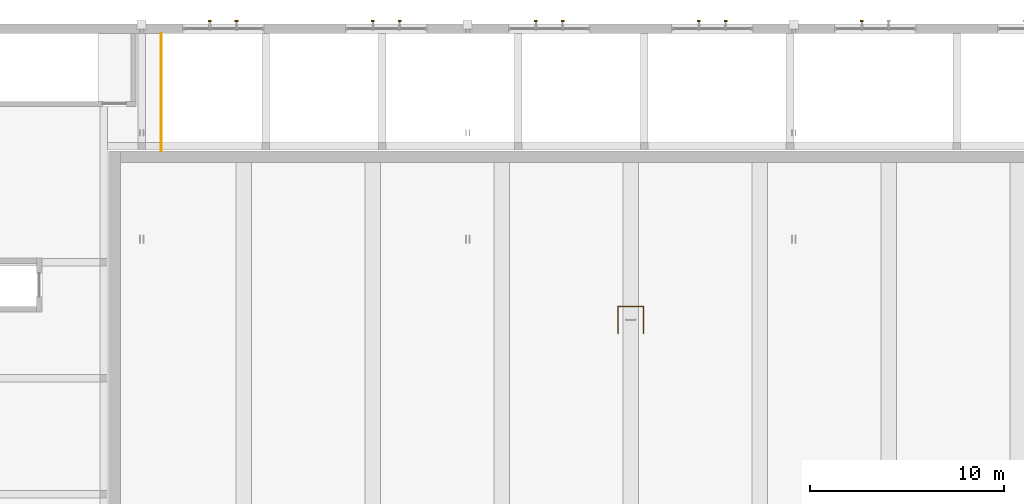
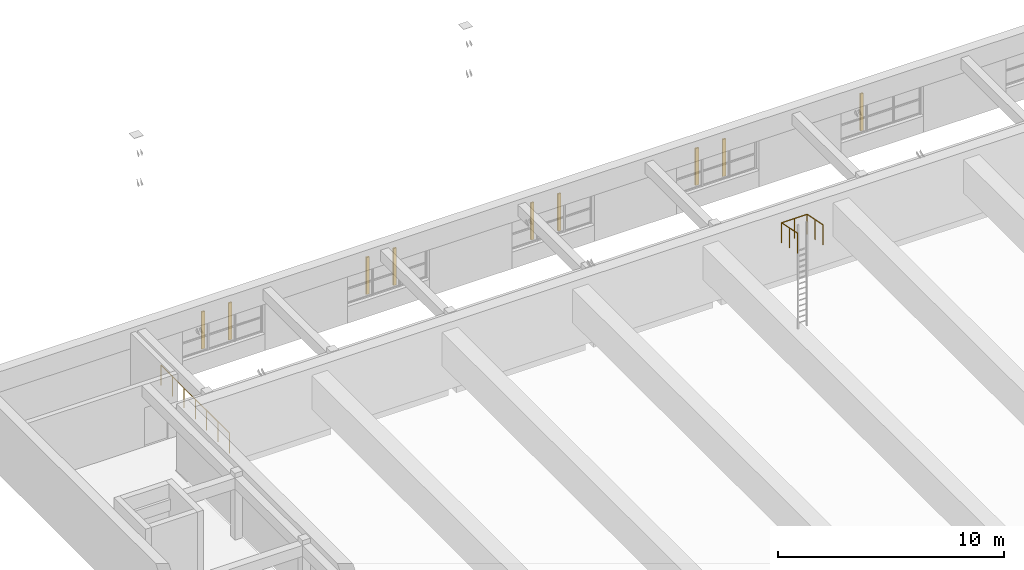
# One storey, part 27 of 28: 9 shading devices, 2 railings.
"""IFC4 building model written with IfcOpenShell, lengths in metres."""

from ifc_helpers import new_model, si_unit, direction, frame, origin, origin_2d, place, context, subcontext, project, spatial, rectangle, circle, extrude, material, type_object, element, save


model = new_model("IFC4")

# Units and contexts
model_context = context("Model", 3, precision=1e-05, world=origin(), true_north=direction((0.0, 1.0)))
body_context = subcontext(model_context, "Body", "Model", "MODEL_VIEW")
ifc_project = project(units=[si_unit("LENGTHUNIT", "METRE"), si_unit("AREAUNIT", "SQUARE_METRE"), si_unit("VOLUMEUNIT", "CUBIC_METRE"), si_unit("PLANEANGLEUNIT", "RADIAN"), si_unit("MASSUNIT", "GRAM", prefix="KILO")], contexts=[model_context])

# Site, building, storey
site_placement = place(None, origin())
site = spatial("IfcSite", under=ifc_project, at=site_placement, CompositionType="ELEMENT")
building_placement = place(site_placement, origin())
building = spatial("IfcBuilding", under=site, at=building_placement, Name="Ljudholm Concert House", CompositionType="ELEMENT")
storey_placement = place(building_placement, frame((0.0, 0.0, 19.199951171875)))
storey = spatial("IfcBuildingStorey", under=building, at=storey_placement, Name="L04", CompositionType="ELEMENT", Elevation=19.199951171875)

# Shading devices
ifc_material_1 = material(Name="Aluminium extrusion with timber-grain PVDF finish", Category="aluminium")
shading_device_type = type_object("IfcShadingDeviceType", Name="FACADE FIN 80x160", PredefinedType="SHUTTER", material=ifc_material_1)
for number, where, z_axis, x_axis, name in (
    (1, (41.110107421875, 96.81005859375, 0.699951171875), (0.0, 0.0, 1.0), (0.0, 1.0, 0.0), "Facade fin"),
    (2, (42.489990234375, 96.81005859375, 0.699951171875), (0.0, 0.0, 1.0), (0.0, 1.0, 0.0), "Facade fin"),
    (3, (49.510009765625, 96.81005859375, 0.699951171875), (0.0, 0.0, 1.0), (0.0, 1.0, 0.0), "Facade fin"),
    (4, (50.889892578125, 96.81005859375, 0.699951171875), (0.0, 0.0, 1.0), (0.0, 1.0, 0.0), "Facade fin"),
    (5, (57.909912109375, 96.81005859375, 0.699951171875), (0.0, 0.0, 1.0), (0.0, 1.0, 0.0), "Facade fin"),
    (6, (59.2900390625, 96.81005859375, 0.699951171875), (0.0, 0.0, 1.0), (0.0, 1.0, 0.0), "Facade fin"),
    (7, (66.31005859375, 96.81005859375, 0.699951171875), (0.0, 0.0, 1.0), (0.0, 1.0, 0.0), "Facade fin"),
    (8, (67.68994140625, 96.81005859375, 0.699951171875), (0.0, 0.0, 1.0), (0.0, 1.0, 0.0), "Facade fin"),
    (9, (74.7099609375, 96.81005859375, 0.699951171875), (0.0, 0.0, 1.0), (0.0, 1.0, 0.0), "Facade fin"),
):
    element("IfcShadingDevice", number, at=place(storey_placement, frame(where, z_axis=z_axis, x_axis=x_axis)), inside=storey, type_object=shading_device_type, Name=name, PredefinedType="SHUTTER", context=body_context, shape_type="SweptSolid", body=[
        extrude(rectangle(XDim=0.080078125, YDim=0.159912109375, at=origin_2d()), origin(), (0.0, 0.0, 1.0), 2.0),
    ])

# Railings
ifc_material_2 = material(Name="Steel ASTM A36", Category="steel")
railing_type_1 = type_object("IfcRailingType", Name="GUARD 1100", PredefinedType="GUARDRAIL", material=ifc_material_2)
railing_1_placement = place(storey_placement, frame((38.60009765625, 96.14990234375, 0.0)))
element("IfcRailing", 10, at=railing_1_placement, inside=storey, type_object=railing_type_1, Name="Ring floor edge guard", PredefinedType="GUARDRAIL", context=body_context, shape_type="SweptSolid", body=[
    extrude(circle(Radius=0.02490234375, at=origin_2d()), frame((0.0, 0.0, 1.0751953125), z_axis=(0.0, -1.0, 0.0), x_axis=(1.0, 0.0, 0.0)), (0.0, 0.0, 1.0), 6.0498046875),
    extrude(circle(Radius=0.02099609375, at=origin_2d()), origin(), (0.0, 0.0, 1.0), 1.050048828125),
    extrude(circle(Radius=0.02099609375, at=origin_2d()), frame((0.0, -1.00830078125, 0.0)), (0.0, 0.0, 1.0), 1.050048828125),
    extrude(circle(Radius=0.02099609375, at=origin_2d()), frame((0.0, -2.0166015625, 0.0)), (0.0, 0.0, 1.0), 1.050048828125),
    extrude(circle(Radius=0.02099609375, at=origin_2d()), frame((0.0, -3.02490234375, 0.0)), (0.0, 0.0, 1.0), 1.050048828125),
    extrude(circle(Radius=0.02099609375, at=origin_2d()), frame((0.0, -4.033203125, 0.0)), (0.0, 0.0, 1.0), 1.050048828125),
    extrude(circle(Radius=0.02099609375, at=origin_2d()), frame((0.0, -5.04150390625, 0.0)), (0.0, 0.0, 1.0), 1.050048828125),
    extrude(circle(Radius=0.02099609375, at=origin_2d()), frame((0.0, -6.0498046875, 0.0)), (0.0, 0.0, 1.0), 1.050048828125),
])
ifc_material_3 = material(Name="Steel ASTM A36", Category="steel")
railing_type_2 = type_object("IfcRailingType", Name="GUARD 1100 EXTERNAL", PredefinedType="GUARDRAIL", material=ifc_material_3)
railing_2_placement = place(storey_placement, frame((62.14990234375, 80.699951171875, 8.238037109375)))
element("IfcRailing", 11, at=railing_2_placement, inside=storey, type_object=railing_type_2, Name="Roof hatch guard", PredefinedType="GUARDRAIL", context=body_context, shape_type="SweptSolid", body=[
    extrude(circle(Radius=0.02490234375, at=origin_2d()), frame((0.0, 0.0, 1.0751953125), z_axis=(0.0, 0.979951366389, -0.199236842757), x_axis=(-1.0, 0.0, 0.0)), (0.0, 0.0, 1.0), 1.4287109375),
    extrude(circle(Radius=0.02490234375, at=origin_2d()), frame((0.0, 1.400146484375, 0.79052734375), z_axis=(1.0, 0.0, 0.0), x_axis=(0.0, 1.0, 0.0)), (0.0, 0.0, 1.0), 1.300048828125),
    extrude(circle(Radius=0.02490234375, at=origin_2d()), frame((1.300048828125, 1.400146484375, 0.79052734375), z_axis=(0.0, -0.979951366389, 0.199236842757), x_axis=(1.0, 0.0, 0.0)), (0.0, 0.0, 1.0), 1.4287109375),
    extrude(circle(Radius=0.02099609375, at=origin_2d()), origin(), (0.0, 0.0, 1.0), 1.050048828125),
    extrude(circle(Radius=0.02099609375, at=origin_2d()), frame((0.0, 0.7001953125, -0.142333984375)), (0.0, 0.0, 1.0), 1.050048828125),
    extrude(circle(Radius=0.02099609375, at=origin_2d()), frame((0.0, 1.400146484375, -0.28466796875)), (0.0, 0.0, 1.0), 1.050048828125),
    extrude(circle(Radius=0.02099609375, at=origin_2d()), frame((0.64990234375, 1.400146484375, -0.28466796875)), (0.0, 0.0, 1.0), 1.050048828125),
    extrude(circle(Radius=0.02099609375, at=origin_2d()), frame((1.300048828125, 1.400146484375, -0.28466796875)), (0.0, 0.0, 1.0), 1.050048828125),
    extrude(circle(Radius=0.02099609375, at=origin_2d()), frame((1.300048828125, 0.7001953125, -0.142333984375)), (0.0, 0.0, 1.0), 1.050048828125),
    extrude(circle(Radius=0.02099609375, at=origin_2d()), frame((1.300048828125, 0.0, 0.0)), (0.0, 0.0, 1.0), 1.050048828125),
])

save(model, "model.ifc")
